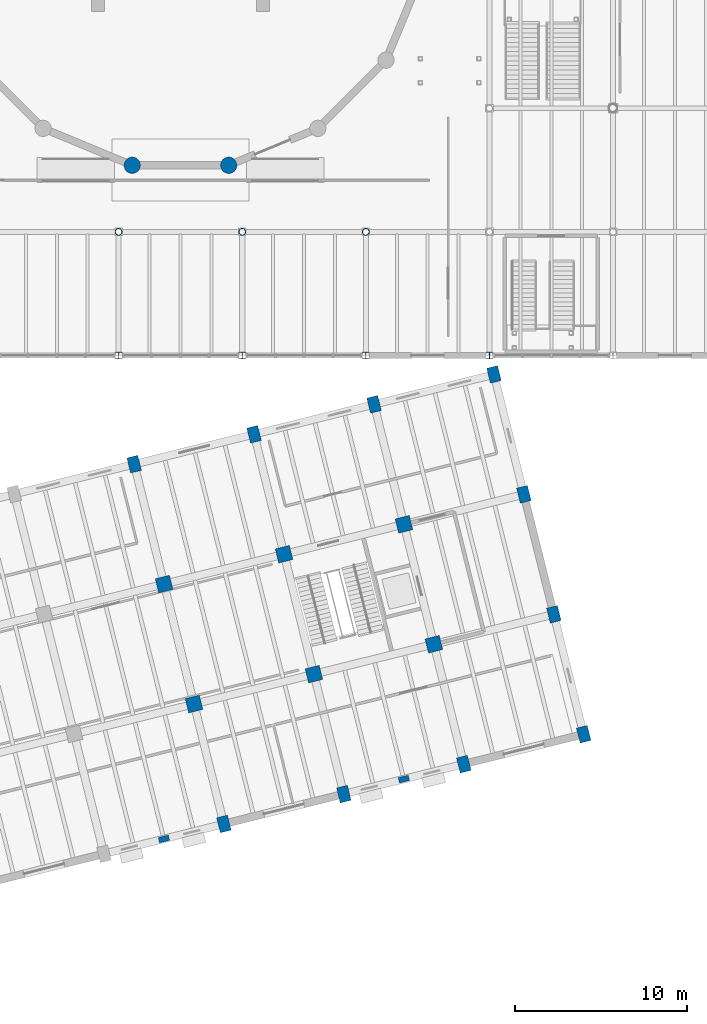
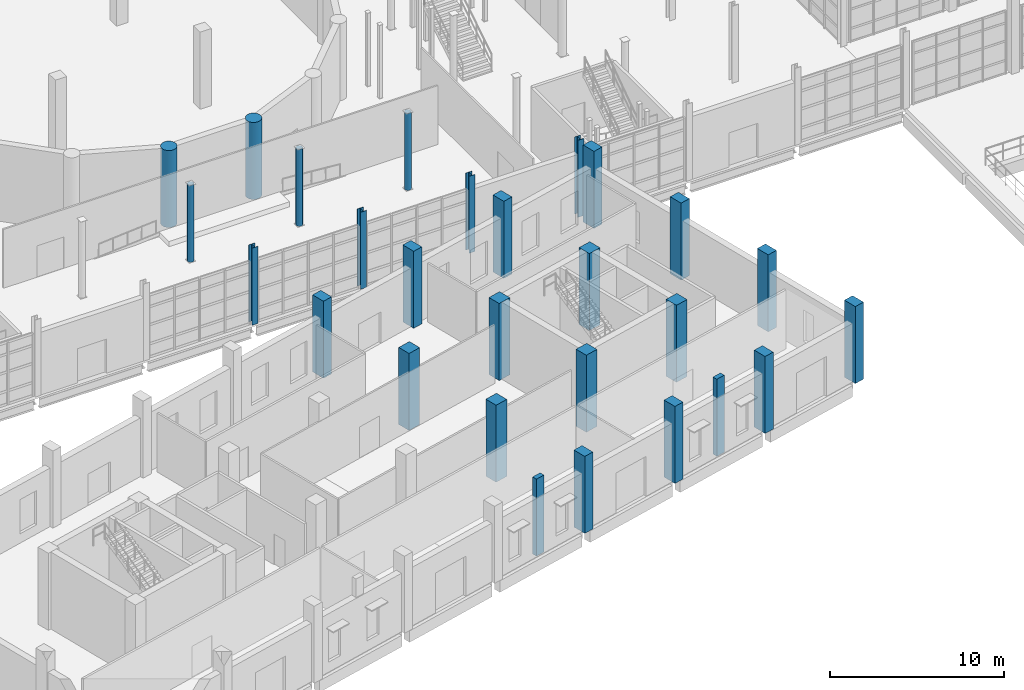
# One storey, part 6 of 79: 27 columns.
"""IFC4 building model written with IfcOpenShell, lengths in metres."""

from ifc_helpers import new_model, si_unit, direction, frame, origin, origin_2d, place, context, subcontext, project, spatial, rectangle, circle, hollow_circle, i_section, extrude, material, material_profile, profile_set, type_object, element, save


model = new_model("IFC4")

# Units and contexts
model_context = context("Model", 3, precision=1e-05, world=origin(), true_north=direction((0.0, 1.0)))
body_context = subcontext(model_context, "Body", "Model", "MODEL_VIEW")
ifc_project = project(units=[si_unit("LENGTHUNIT", "METRE"), si_unit("AREAUNIT", "SQUARE_METRE"), si_unit("VOLUMEUNIT", "CUBIC_METRE"), si_unit("PLANEANGLEUNIT", "RADIAN"), si_unit("MASSUNIT", "GRAM", prefix="KILO")], contexts=[model_context])

# Site, building, storey
site_placement = place(None, origin())
site = spatial("IfcSite", under=ifc_project, at=site_placement, CompositionType="ELEMENT")
building_placement = place(site_placement, origin())
building = spatial("IfcBuilding", under=site, at=building_placement, Name="Qiaolan Assembly House", CompositionType="ELEMENT")
storey_placement = place(building_placement, origin())
storey = spatial("IfcBuildingStorey", under=building, at=storey_placement, Name="L00", CompositionType="ELEMENT", Elevation=0.0)

# Columns
ifc_material_1 = material(Name="Concrete C50/60", Category="concrete")
ifc_material_profile_1 = material_profile(ifc_material_1, circle(Radius=0.47509765625, at=origin_2d()), Name="CIRC D950")
ifc_profile_set_1 = profile_set([ifc_material_profile_1], Name="Concrete C50/60")
column_type_1 = type_object("IfcColumnType", Name="COL-DRUM-D950", PredefinedType="COLUMN", material=ifc_profile_set_1)
for number, where, z_axis, x_axis, name in (
    (1, (65.5908203125, 47.07666015625, 0.0), (0.0, 0.0, 1.0), (1.0, 0.0, 0.0), "DC-01 chamber drum pier 12 L00"),
    (2, (71.209228515625, 47.07666015625, 0.0), (0.0, 0.0, 1.0), (1.0, 0.0, 0.0), "DC-01 chamber drum pier 13 L00"),
):
    element("IfcColumn", number, at=place(storey_placement, frame(where, z_axis=z_axis, x_axis=x_axis)), inside=storey, type_object=column_type_1, Name=name, PredefinedType="COLUMN", context=body_context, shape_type="SweptSolid", body=[
        extrude(circle(Radius=0.47509765625, at=origin_2d()), origin(), (0.0, 0.0, 1.0), 5.39990234375),
    ])
ifc_material_profile_2 = material_profile(ifc_material_1, rectangle(XDim=0.85009765625, YDim=0.85009765625, at=origin_2d()), Name="RC 850x850")
ifc_profile_set_2 = profile_set([ifc_material_profile_2], Name="Concrete C50/60")
column_type_2 = type_object("IfcColumnType", Name="COL-RC-850", PredefinedType="COLUMN", material=ifc_profile_set_2)
for number, where, z_axis, x_axis, name in (
    (3, (69.188720703125, 15.6953125, 0.0), (0.0, 0.0, 1.0), (0.970295726276, 0.2419218956, 0.0), "RC-04 splayed column SE L00"),
    (4, (67.447021484375, 22.681396484375, 0.0), (0.0, 0.0, 1.0), (0.970295726276, 0.2419218956, 0.0), "RC-04 splayed column SE L00"),
    (5, (76.175048828125, 17.437255859375, 0.0), (0.0, 0.0, 1.0), (0.970295726276, 0.2419218956, 0.0), "RC-04 splayed column SE L00"),
    (6, (74.43310546875, 24.42333984375, 0.0), (0.0, 0.0, 1.0), (0.970295726276, 0.2419218956, 0.0), "RC-04 splayed column SE L00"),
    (7, (83.1611328125, 19.178955078125, 0.0), (0.0, 0.0, 1.0), (0.970295726276, 0.2419218956, 0.0), "RC-04 splayed column SE L00"),
    (8, (81.419189453125, 26.1650390625, 0.0), (0.0, 0.0, 1.0), (0.970295726276, 0.2419218956, 0.0), "RC-04 splayed column SE L00"),
):
    element("IfcColumn", number, at=place(storey_placement, frame(where, z_axis=z_axis, x_axis=x_axis)), inside=storey, type_object=column_type_2, Name=name, PredefinedType="COLUMN", context=body_context, shape_type="SweptSolid", body=[
        extrude(rectangle(XDim=0.85009765625, YDim=0.85009765625, at=origin_2d()), origin(), (0.0, 0.0, 1.0), 5.39990234375),
    ])
ifc_material_profile_3 = material_profile(ifc_material_1, rectangle(XDim=0.64990234375, YDim=0.89990234375, at=origin_2d()), Name="RC 900x650")
ifc_profile_set_3 = profile_set([ifc_material_profile_3], Name="Concrete C50/60")
column_type_3 = type_object("IfcColumnType", Name="COL-RC-900x650", PredefinedType="COLUMN", material=ifc_profile_set_3)
for number, where, z_axis, x_axis, name in (
    (9, (70.9306640625, 8.709228515625, 0.0), (0.0, 0.0, 1.0), (0.970295726276, 0.2419218956, 0.0), "RC-12 splayed column SE L00"),
    (10, (65.705078125, 29.66748046875, 0.0), (0.0, 0.0, 1.0), (0.970295726276, 0.2419218956, 0.0), "RC-12 splayed column SE L00"),
    (11, (77.916748046875, 10.450927734375, 0.0), (0.0, 0.0, 1.0), (0.970295726276, 0.2419218956, 0.0), "RC-12 splayed column SE L00"),
    (12, (72.691162109375, 31.409423828125, 0.0), (0.0, 0.0, 1.0), (0.970295726276, 0.2419218956, 0.0), "RC-12 splayed column SE L00"),
    (13, (84.90283203125, 12.19287109375, 0.0), (0.0, 0.0, 1.0), (0.970295726276, 0.2419218956, 0.0), "RC-12 splayed column SE L00"),
    (14, (79.677490234375, 33.1513671875, 0.0), (0.0, 0.0, 1.0), (0.970295726276, 0.2419218956, 0.0), "RC-12 splayed column SE L00"),
    (15, (91.888916015625, 13.934814453125, 0.0), (0.0, 0.0, 1.0), (0.970295726276, 0.2419218956, 0.0), "RC-12 splayed column SE L00"),
    (16, (90.147216796875, 20.9208984375, 0.0), (0.0, 0.0, 1.0), (0.970295726276, 0.2419218956, 0.0), "RC-12 splayed column SE L00"),
    (17, (88.4052734375, 27.906982421875, 0.0), (0.0, 0.0, 1.0), (0.970295726276, 0.2419218956, 0.0), "RC-12 splayed column SE L00"),
    (18, (86.66357421875, 34.89306640625, 0.0), (0.0, 0.0, 1.0), (0.970295726276, 0.2419218956, 0.0), "RC-12 splayed column SE L00"),
):
    element("IfcColumn", number, at=place(storey_placement, frame(where, z_axis=z_axis, x_axis=x_axis)), inside=storey, type_object=column_type_3, Name=name, PredefinedType="COLUMN", context=body_context, shape_type="SweptSolid", body=[
        extrude(rectangle(XDim=0.64990234375, YDim=0.89990234375, at=origin_2d()), origin(), (0.0, 0.0, 1.0), 5.39990234375),
    ])
ifc_material_2 = material(Name="Steel Q355B", Category="steel")
ifc_material_profile_4 = material_profile(ifc_material_2, hollow_circle(Radius=0.203125, WallThickness=0.013916015625, at=origin_2d()), Name="CHS 406.4x14")
ifc_profile_set_4 = profile_set([ifc_material_profile_4], Name="Steel Q355B")
column_type_4 = type_object("IfcColumnType", Name="COL-STL-CHS406", PredefinedType="COLUMN", material=ifc_profile_set_4)
for number, where, z_axis, x_axis, name in (
    (19, (64.800048828125, 43.199951171875, 0.0), (0.0, 0.0, 1.0), (1.0, 0.0, 0.0), "SC-06 hall column L00"),
    (20, (72.0, 43.199951171875, 0.0), (0.0, 0.0, 1.0), (1.0, 0.0, 0.0), "SC-06 hall column L00"),
    (21, (79.199951171875, 43.199951171875, 0.0), (0.0, 0.0, 1.0), (1.0, 0.0, 0.0), "SC-06 hall column L00"),
):
    element("IfcColumn", number, at=place(storey_placement, frame(where, z_axis=z_axis, x_axis=x_axis)), inside=storey, type_object=column_type_4, Name=name, PredefinedType="COLUMN", context=body_context, shape_type="SweptSolid", body=[
        extrude(hollow_circle(Radius=0.203125, WallThickness=0.013916015625, at=origin_2d()), origin(), (0.0, 0.0, 1.0), 5.39990234375),
    ])
ifc_material_profile_5 = material_profile(ifc_material_2, i_section(OverallWidth=0.39990234375, OverallDepth=0.39990234375, WebThickness=0.012939453125, FlangeThickness=0.02099609375, FilletRadius=0.02197265625, at=origin_2d()), Name="HW 400x400x13x21")
ifc_profile_set_5 = profile_set([ifc_material_profile_5], Name="Steel Q355B")
column_type_5 = type_object("IfcColumnType", Name="COL-STL-HW400", PredefinedType="COLUMN", material=ifc_profile_set_5)
for number, where, z_axis, x_axis, name in (
    (22, (64.800048828125, 36.0, 0.0), (0.0, 0.0, 1.0), (1.0, 0.0, 0.0), "SC-01 hall column L00"),
    (23, (72.0, 36.0, 0.0), (0.0, 0.0, 1.0), (1.0, 0.0, 0.0), "SC-01 hall column L00"),
    (24, (79.199951171875, 36.0, 0.0), (0.0, 0.0, 1.0), (1.0, 0.0, 0.0), "SC-01 hall column L00"),
    (25, (86.39990234375, 36.0, 0.0), (0.0, 0.0, 1.0), (1.0, 0.0, 0.0), "SC-01 hall column L00"),
):
    element("IfcColumn", number, at=place(storey_placement, frame(where, z_axis=z_axis, x_axis=x_axis)), inside=storey, type_object=column_type_5, Name=name, PredefinedType="COLUMN", context=body_context, shape_type="SweptSolid", body=[
        extrude(i_section(OverallWidth=0.39990234375, OverallDepth=0.39990234375, WebThickness=0.012939453125, FlangeThickness=0.02099609375, FilletRadius=0.02197265625, at=origin_2d()), origin(), (0.0, 0.0, 1.0), 5.39990234375),
    ])
ifc_material_3 = material(Name="Precast concrete C45/55", Category="concrete")
ifc_material_profile_6 = material_profile(ifc_material_3, rectangle(XDim=0.60009765625, YDim=0.320068359375, at=origin_2d()), Name="PIL 600x320")
ifc_profile_set_6 = profile_set([ifc_material_profile_6], Name="Precast concrete C45/55")
column_type_6 = type_object("IfcColumnType", Name="PIL-SE-600x320", PredefinedType="PILASTER", material=ifc_profile_set_6)
for number, where, z_axis, x_axis, name in (
    (26, (67.4375, 7.83837890625, 0.0), (0.0, 0.0, 1.0), (0.970295726276, 0.2419218956, 0.0), "PL-03 boulevard pilaster SE L00"),
    (27, (81.409912109375, 11.322021484375, 0.0), (0.0, 0.0, 1.0), (0.970295726276, 0.2419218956, 0.0), "PL-03 boulevard pilaster SE L00"),
):
    element("IfcColumn", number, at=place(storey_placement, frame(where, z_axis=z_axis, x_axis=x_axis)), inside=storey, type_object=column_type_6, Name=name, PredefinedType="PILASTER", context=body_context, shape_type="SweptSolid", body=[
        extrude(rectangle(XDim=0.60009765625, YDim=0.320068359375, at=origin_2d()), origin(), (0.0, 0.0, 1.0), 5.39990234375),
    ])

save(model, "model.ifc")
